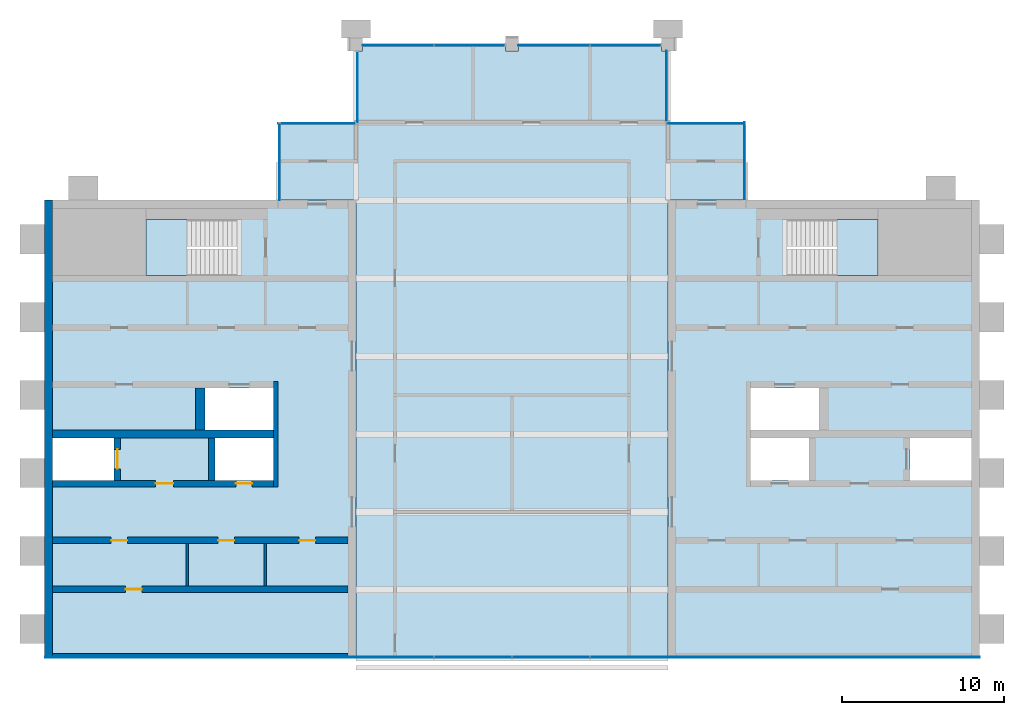
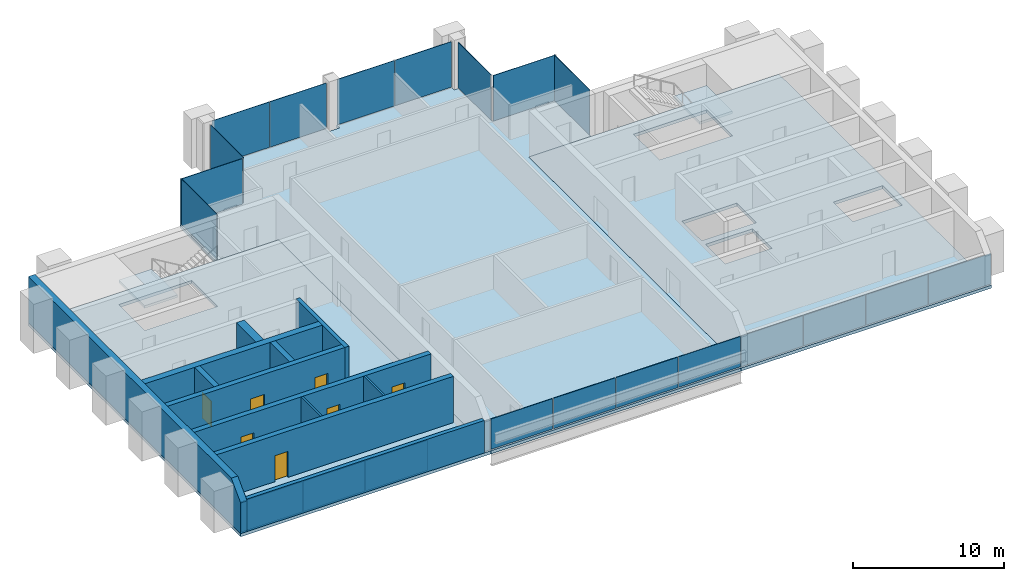
# One storey, part 8 of 12: 22 plates, 12 walls, 7 doors, 5 slabs, 7 openings, 11 elements without a shape of their own.
"""IFC4 building model written with IfcOpenShell, lengths in metres."""

from ifc_helpers import new_model, si_unit, direction, frame, frame_2d, origin, origin_2d, place, context, subcontext, project, spatial, polyline, rectangle, outline, extrude, material, layer, layer_set, type_object, element, fill, aggregate, save


model = new_model("IFC4")

# Units and contexts
model_context = context("Model", 3, precision=1e-05, world=origin(), true_north=direction((0.0, 1.0)))
body_context = subcontext(model_context, "Body", "Model", "MODEL_VIEW")
ifc_project = project(units=[si_unit("LENGTHUNIT", "METRE"), si_unit("AREAUNIT", "SQUARE_METRE"), si_unit("VOLUMEUNIT", "CUBIC_METRE"), si_unit("PLANEANGLEUNIT", "RADIAN"), si_unit("MASSUNIT", "GRAM", prefix="KILO")], contexts=[model_context])

# Site, building, storey
site_placement = place(None, origin())
site = spatial("IfcSite", under=ifc_project, at=site_placement, CompositionType="ELEMENT")
building_placement = place(site_placement, origin())
building = spatial("IfcBuilding", under=site, at=building_placement, Name="Baori Bourse Tower", CompositionType="ELEMENT")
storey_placement = place(building_placement, frame((0.0, 0.0, 370.300048828125)))
storey = spatial("IfcBuildingStorey", under=building, at=storey_placement, Name="L83", CompositionType="ELEMENT", Elevation=370.300048828125)

# Curtain wall, plates
ifc_material_1 = material(Name="Pale anodised aluminium", Category="aluminium")
curtain_wall_type = type_object("IfcCurtainWallType", Name="CW3 Curtain wall", PredefinedType="NOTDEFINED", material=ifc_material_1)
curtain_wall_1_placement = place(storey_placement, origin())
curtain_wall_1 = element("IfcCurtainWall", 1, at=curtain_wall_1_placement, inside=storey, type_object=curtain_wall_type, Name="Curtain wall CW3 L83 1", PredefinedType="NOTDEFINED")
ifc_material_2 = material(Name="Pale anodised aluminium", Category="aluminium")
ifc_layer_1 = layer(ifc_material_2, 0.0400390625)
ifc_layer_set_1 = layer_set([ifc_layer_1], Name="CW3 Curtain wall panel")
plate_type = type_object("IfcPlateType", Name="CW3 Curtain wall panel", PredefinedType="CURTAIN_PANEL", material=ifc_layer_set_1)
plate_1_placement = place(storey_placement, frame((2.41259765625, 10.2529296875, 0.06005859375), z_axis=(0.0, 0.0, 1.0), x_axis=(1.0, 0.0, 0.0)))
plate_1 = element("IfcPlate", 2, at=plate_1_placement, type_object=plate_type, Name="Curtain wall CW3 louvre panel", PredefinedType="CURTAIN_PANEL", context=body_context, shape_type="SweptSolid", body=[
    extrude(rectangle(XDim=4.72509765625, YDim=0.0400390625, at=origin_2d()), origin(), (0.0, 0.0, 1.0), 2.469970703125),
])
plate_2_placement = place(storey_placement, frame((7.199951171875, 10.2529296875, 0.06005859375), z_axis=(0.0, 0.0, 1.0), x_axis=(1.0, 0.0, 0.0)))
plate_2 = element("IfcPlate", 3, at=plate_2_placement, type_object=plate_type, Name="Curtain wall CW3 louvre panel", PredefinedType="CURTAIN_PANEL", context=body_context, shape_type="SweptSolid", body=[
    extrude(rectangle(XDim=4.75, YDim=0.0400390625, at=origin_2d()), origin(), (0.0, 0.0, 1.0), 2.469970703125),
])
plate_3_placement = place(storey_placement, frame((12.0, 10.2529296875, 0.06005859375), z_axis=(0.0, 0.0, 1.0), x_axis=(1.0, 0.0, 0.0)))
plate_3 = element("IfcPlate", 4, at=plate_3_placement, type_object=plate_type, Name="Curtain wall CW3 louvre panel", PredefinedType="CURTAIN_PANEL", context=body_context, shape_type="SweptSolid", body=[
    extrude(rectangle(XDim=4.75, YDim=0.0400390625, at=origin_2d()), origin(), (0.0, 0.0, 1.0), 2.469970703125),
])
plate_4_placement = place(storey_placement, frame((16.800048828125, 10.2529296875, 0.06005859375), z_axis=(0.0, 0.0, 1.0), x_axis=(1.0, 0.0, 0.0)))
plate_4 = element("IfcPlate", 5, at=plate_4_placement, type_object=plate_type, Name="Curtain wall CW3 louvre panel", PredefinedType="CURTAIN_PANEL", context=body_context, shape_type="SweptSolid", body=[
    extrude(rectangle(XDim=4.75, YDim=0.0400390625, at=origin_2d()), origin(), (0.0, 0.0, 1.0), 2.469970703125),
])
plate_5_placement = place(storey_placement, frame((21.60009765625, 10.2529296875, 0.06005859375), z_axis=(0.0, 0.0, 1.0), x_axis=(1.0, 0.0, 0.0)))
plate_5 = element("IfcPlate", 6, at=plate_5_placement, type_object=plate_type, Name="Curtain wall CW3 louvre panel", PredefinedType="CURTAIN_PANEL", context=body_context, shape_type="SweptSolid", body=[
    extrude(rectangle(XDim=4.75, YDim=0.0400390625, at=origin_2d()), origin(), (0.0, 0.0, 1.0), 2.469970703125),
])
plate_6_placement = place(storey_placement, frame((26.39990234375, 10.2529296875, 0.06005859375), z_axis=(0.0, 0.0, 1.0), x_axis=(1.0, 0.0, 0.0)))
plate_6 = element("IfcPlate", 7, at=plate_6_placement, type_object=plate_type, Name="Curtain wall CW3 louvre panel", PredefinedType="CURTAIN_PANEL", context=body_context, shape_type="SweptSolid", body=[
    extrude(rectangle(XDim=4.75, YDim=0.0400390625, at=origin_2d()), origin(), (0.0, 0.0, 1.0), 2.469970703125),
])
plate_7_placement = place(storey_placement, frame((31.199951171875, 10.2529296875, 0.06005859375), z_axis=(0.0, 0.0, 1.0), x_axis=(1.0, 0.0, 0.0)))
plate_7 = element("IfcPlate", 8, at=plate_7_placement, type_object=plate_type, Name="Curtain wall CW3 louvre panel", PredefinedType="CURTAIN_PANEL", context=body_context, shape_type="SweptSolid", body=[
    extrude(rectangle(XDim=4.75, YDim=0.0400390625, at=origin_2d()), origin(), (0.0, 0.0, 1.0), 2.469970703125),
])
plate_8_placement = place(storey_placement, frame((36.0, 10.2529296875, 0.06005859375), z_axis=(0.0, 0.0, 1.0), x_axis=(1.0, 0.0, 0.0)))
plate_8 = element("IfcPlate", 9, at=plate_8_placement, type_object=plate_type, Name="Curtain wall CW3 louvre panel", PredefinedType="CURTAIN_PANEL", context=body_context, shape_type="SweptSolid", body=[
    extrude(rectangle(XDim=4.75, YDim=0.0400390625, at=origin_2d()), origin(), (0.0, 0.0, 1.0), 2.469970703125),
])
plate_9_placement = place(storey_placement, frame((40.800048828125, 10.2529296875, 0.06005859375), z_axis=(0.0, 0.0, 1.0), x_axis=(1.0, 0.0, 0.0)))
plate_9 = element("IfcPlate", 10, at=plate_9_placement, type_object=plate_type, Name="Curtain wall CW3 louvre panel", PredefinedType="CURTAIN_PANEL", context=body_context, shape_type="SweptSolid", body=[
    extrude(rectangle(XDim=4.75, YDim=0.0400390625, at=origin_2d()), origin(), (0.0, 0.0, 1.0), 2.469970703125),
])
plate_10_placement = place(storey_placement, frame((45.60009765625, 10.2529296875, 0.06005859375), z_axis=(0.0, 0.0, 1.0), x_axis=(1.0, 0.0, 0.0)))
plate_10 = element("IfcPlate", 11, at=plate_10_placement, type_object=plate_type, Name="Curtain wall CW3 louvre panel", PredefinedType="CURTAIN_PANEL", context=body_context, shape_type="SweptSolid", body=[
    extrude(rectangle(XDim=4.75, YDim=0.0400390625, at=origin_2d()), origin(), (0.0, 0.0, 1.0), 2.469970703125),
])
plate_11_placement = place(storey_placement, frame((50.39990234375, 10.2529296875, 0.06005859375), z_axis=(0.0, 0.0, 1.0), x_axis=(1.0, 0.0, 0.0)))
plate_11 = element("IfcPlate", 12, at=plate_11_placement, type_object=plate_type, Name="Curtain wall CW3 louvre panel", PredefinedType="CURTAIN_PANEL", context=body_context, shape_type="SweptSolid", body=[
    extrude(rectangle(XDim=4.75, YDim=0.0400390625, at=origin_2d()), origin(), (0.0, 0.0, 1.0), 2.469970703125),
])
plate_12_placement = place(storey_placement, frame((55.21240234375, 10.2529296875, 0.06005859375), z_axis=(0.0, 0.0, 1.0), x_axis=(1.0, 0.0, 0.0)))
plate_12 = element("IfcPlate", 13, at=plate_12_placement, type_object=plate_type, Name="Curtain wall CW3 louvre panel", PredefinedType="CURTAIN_PANEL", context=body_context, shape_type="SweptSolid", body=[
    extrude(rectangle(XDim=4.77490234375, YDim=0.0400390625, at=origin_2d()), origin(), (0.0, 0.0, 1.0), 2.469970703125),
])
aggregate(curtain_wall_1, [plate_1, plate_2, plate_3, plate_4, plate_5, plate_6, plate_7, plate_8, plate_9, plate_10, plate_11, plate_12])

# Curtain wall, plate
curtain_wall_2_placement = place(storey_placement, origin())
curtain_wall_2 = element("IfcCurtainWall", 14, at=curtain_wall_2_placement, inside=storey, type_object=curtain_wall_type, Name="Curtain wall CW3 L83 2", PredefinedType="NOTDEFINED")
plate_13_placement = place(storey_placement, frame((43.1201171875, 40.824951171875, 0.06005859375), z_axis=(0.0, 0.0, 1.0), x_axis=(0.0, 1.0, 0.0)))
plate_13 = element("IfcPlate", 15, at=plate_13_placement, type_object=plate_type, Name="Curtain wall CW3 louvre panel", PredefinedType="CURTAIN_PANEL", context=body_context, shape_type="SweptSolid", body=[
    extrude(rectangle(XDim=4.75, YDim=0.0400390625, at=origin_2d()), origin(), (0.0, 0.0, 1.0), 3.68994140625),
])
aggregate(curtain_wall_2, [plate_13])

curtain_wall_3_placement = place(storey_placement, origin())
curtain_wall_3 = element("IfcCurtainWall", 16, at=curtain_wall_3_placement, inside=storey, type_object=curtain_wall_type, Name="Curtain wall CW3 L83 3", PredefinedType="NOTDEFINED")
plate_14_placement = place(storey_placement, frame((40.77490234375, 43.1201171875, 0.06005859375), z_axis=(0.0, 0.0, 1.0), x_axis=(-1.0, 0.0, 0.0)))
plate_14 = element("IfcPlate", 17, at=plate_14_placement, type_object=plate_type, Name="Curtain wall CW3 louvre panel", PredefinedType="CURTAIN_PANEL", context=body_context, shape_type="SweptSolid", body=[
    extrude(rectangle(XDim=4.75, YDim=0.0400390625, at=origin_2d()), origin(), (0.0, 0.0, 1.0), 3.68994140625),
])
aggregate(curtain_wall_3, [plate_14])

curtain_wall_4_placement = place(storey_placement, origin())
curtain_wall_4 = element("IfcCurtainWall", 18, at=curtain_wall_4_placement, inside=storey, type_object=curtain_wall_type, Name="Curtain wall CW3 L83 4", PredefinedType="NOTDEFINED")
plate_15_placement = place(storey_placement, frame((38.320068359375, 45.425048828125, 0.06005859375), z_axis=(0.0, 0.0, 1.0), x_axis=(0.0, 1.0, 0.0)))
plate_15 = element("IfcPlate", 19, at=plate_15_placement, type_object=plate_type, Name="Curtain wall CW3 louvre panel", PredefinedType="CURTAIN_PANEL", context=body_context, shape_type="SweptSolid", body=[
    extrude(rectangle(XDim=4.35009765625, YDim=0.0400390625, at=origin_2d()), origin(), (0.0, 0.0, 1.0), 3.68994140625),
])
aggregate(curtain_wall_4, [plate_15])

# Curtain wall, plates
curtain_wall_5_placement = place(storey_placement, origin())
curtain_wall_5 = element("IfcCurtainWall", 20, at=curtain_wall_5_placement, inside=storey, type_object=curtain_wall_type, Name="Curtain wall CW3 L83 5", PredefinedType="NOTDEFINED")
plate_16_placement = place(storey_placement, frame((35.78759765625, 47.919921875, 0.06005859375), z_axis=(0.0, 0.0, 1.0), x_axis=(-1.0, 0.0, 0.0)))
plate_16 = element("IfcPlate", 21, at=plate_16_placement, type_object=plate_type, Name="Curtain wall CW3 louvre panel", PredefinedType="CURTAIN_PANEL", context=body_context, shape_type="SweptSolid", body=[
    extrude(rectangle(XDim=4.324951171875, YDim=0.0400390625, at=origin_2d()), origin(), (0.0, 0.0, 1.0), 3.68994140625),
])
plate_17_placement = place(storey_placement, frame((31.387451171875, 47.919921875, 0.06005859375), z_axis=(0.0, 0.0, 1.0), x_axis=(-1.0, 0.0, 0.0)))
plate_17 = element("IfcPlate", 22, at=plate_17_placement, type_object=plate_type, Name="Curtain wall CW3 louvre panel", PredefinedType="CURTAIN_PANEL", context=body_context, shape_type="SweptSolid", body=[
    extrude(rectangle(XDim=4.375, YDim=0.0400390625, at=origin_2d()), origin(), (0.0, 0.0, 1.0), 3.68994140625),
])
aggregate(curtain_wall_5, [plate_16, plate_17])

curtain_wall_6_placement = place(storey_placement, origin())
curtain_wall_6 = element("IfcCurtainWall", 23, at=curtain_wall_6_placement, inside=storey, type_object=curtain_wall_type, Name="Curtain wall CW3 L83 6", PredefinedType="NOTDEFINED")
plate_18_placement = place(storey_placement, frame((26.1875, 47.919921875, 0.06005859375), z_axis=(0.0, 0.0, 1.0), x_axis=(-1.0, 0.0, 0.0)))
plate_18 = element("IfcPlate", 24, at=plate_18_placement, type_object=plate_type, Name="Curtain wall CW3 louvre panel", PredefinedType="CURTAIN_PANEL", context=body_context, shape_type="SweptSolid", body=[
    extrude(rectangle(XDim=4.324951171875, YDim=0.0400390625, at=origin_2d()), origin(), (0.0, 0.0, 1.0), 3.68994140625),
])
plate_19_placement = place(storey_placement, frame((21.78759765625, 47.919921875, 0.06005859375), z_axis=(0.0, 0.0, 1.0), x_axis=(-1.0, 0.0, 0.0)))
plate_19 = element("IfcPlate", 25, at=plate_19_placement, type_object=plate_type, Name="Curtain wall CW3 louvre panel", PredefinedType="CURTAIN_PANEL", context=body_context, shape_type="SweptSolid", body=[
    extrude(rectangle(XDim=4.375, YDim=0.0400390625, at=origin_2d()), origin(), (0.0, 0.0, 1.0), 3.68994140625),
])
aggregate(curtain_wall_6, [plate_18, plate_19])

# Curtain wall, plate
curtain_wall_7_placement = place(storey_placement, origin())
curtain_wall_7 = element("IfcCurtainWall", 26, at=curtain_wall_7_placement, inside=storey, type_object=curtain_wall_type, Name="Curtain wall CW3 L83 7", PredefinedType="NOTDEFINED")
plate_20_placement = place(storey_placement, frame((19.280029296875, 45.375, 0.06005859375), z_axis=(0.0, 0.0, 1.0), x_axis=(0.0, -1.0, 0.0)))
plate_20 = element("IfcPlate", 27, at=plate_20_placement, type_object=plate_type, Name="Curtain wall CW3 louvre panel", PredefinedType="CURTAIN_PANEL", context=body_context, shape_type="SweptSolid", body=[
    extrude(rectangle(XDim=4.35009765625, YDim=0.0400390625, at=origin_2d()), origin(), (0.0, 0.0, 1.0), 3.68994140625),
])
aggregate(curtain_wall_7, [plate_20])

curtain_wall_8_placement = place(storey_placement, origin())
curtain_wall_8 = element("IfcCurtainWall", 28, at=curtain_wall_8_placement, inside=storey, type_object=curtain_wall_type, Name="Curtain wall CW3 L83 8", PredefinedType="NOTDEFINED")
plate_21_placement = place(storey_placement, frame((16.77490234375, 43.1201171875, 0.06005859375), z_axis=(0.0, 0.0, 1.0), x_axis=(-1.0, 0.0, 0.0)))
plate_21 = element("IfcPlate", 29, at=plate_21_placement, type_object=plate_type, Name="Curtain wall CW3 louvre panel", PredefinedType="CURTAIN_PANEL", context=body_context, shape_type="SweptSolid", body=[
    extrude(rectangle(XDim=4.75, YDim=0.0400390625, at=origin_2d()), origin(), (0.0, 0.0, 1.0), 3.68994140625),
])
aggregate(curtain_wall_8, [plate_21])

curtain_wall_9_placement = place(storey_placement, origin())
curtain_wall_9 = element("IfcCurtainWall", 30, at=curtain_wall_9_placement, inside=storey, type_object=curtain_wall_type, Name="Curtain wall CW3 L83 9", PredefinedType="NOTDEFINED")
plate_22_placement = place(storey_placement, frame((14.47998046875, 40.77490234375, 0.06005859375), z_axis=(0.0, 0.0, 1.0), x_axis=(0.0, -1.0, 0.0)))
plate_22 = element("IfcPlate", 31, at=plate_22_placement, type_object=plate_type, Name="Curtain wall CW3 louvre panel", PredefinedType="CURTAIN_PANEL", context=body_context, shape_type="SweptSolid", body=[
    extrude(rectangle(XDim=4.75, YDim=0.0400390625, at=origin_2d()), origin(), (0.0, 0.0, 1.0), 3.68994140625),
])
aggregate(curtain_wall_9, [plate_22])

# Slabs
ifc_material_3 = material(Name="Concrete f'c 50 MPa", Category="concrete")
ifc_layer_2 = layer(ifc_material_3, 0.25)
ifc_layer_set_2 = layer_set([ifc_layer_2], Name="Core slab 250")
slab_type_1 = type_object("IfcSlabType", Name="Core slab 250", PredefinedType="FLOOR", material=ifc_layer_set_2)
slab_1_placement = place(storey_placement, frame((0.0, 0.0, -0.25)))
element("IfcSlab", 32, at=slab_1_placement, inside=storey, type_object=slab_type_1, Name="Core floor slab W01", PredefinedType="FLOOR", context=body_context, shape_type="SweptSolid", body=[
    extrude(outline(polyline([(19.199951171875, 10.1728515625), (19.199951171875, 38.39990234375), (0.0, 38.39990234375), (0.0, 10.1728515625), (19.199951171875, 10.1728515625)]), holes=[polyline([(9.89990234375, 24.25), (9.89990234375, 26.85009765625), (14.10009765625, 26.85009765625), (14.10009765625, 24.25), (9.89990234375, 24.25)]), polyline([(10.5, 23.75), (14.10009765625, 23.75), (14.10009765625, 21.14990234375), (10.5, 21.14990234375), (10.5, 23.75)]), polyline([(11.84912109375, 37.199951171875), (11.84912109375, 33.75), (6.25, 33.75), (6.25, 37.199951171875), (11.84912109375, 37.199951171875)]), polyline([(4.300048828125, 21.14990234375), (0.5, 21.14990234375), (0.5, 23.75), (4.300048828125, 23.75), (4.300048828125, 21.14990234375)])]), origin(), (0.0, 0.0, 1.0), 0.25),
])
slab_2_placement = place(storey_placement, frame((0.0, 0.0, -0.25)))
element("IfcSlab", 33, at=slab_2_placement, inside=storey, type_object=slab_type_1, Name="Core floor slab E01", PredefinedType="FLOOR", context=body_context, shape_type="SweptSolid", body=[
    extrude(outline(polyline([(38.39990234375, 10.1728515625), (57.60009765625, 10.1728515625), (57.60009765625, 38.39990234375), (38.39990234375, 38.39990234375), (38.39990234375, 10.1728515625)]), holes=[polyline([(53.300048828125, 21.14990234375), (53.300048828125, 23.75), (57.10009765625, 23.75), (57.10009765625, 21.14990234375), (53.300048828125, 21.14990234375)]), polyline([(51.35009765625, 37.199951171875), (51.35009765625, 33.75), (45.750732421875, 33.75), (45.750732421875, 37.199951171875), (51.35009765625, 37.199951171875)]), polyline([(43.5, 26.85009765625), (47.699951171875, 26.85009765625), (47.699951171875, 24.25), (43.5, 24.25), (43.5, 26.85009765625)]), polyline([(47.10009765625, 23.75), (47.10009765625, 21.14990234375), (43.5, 21.14990234375), (43.5, 23.75), (47.10009765625, 23.75)])]), origin(), (0.0, 0.0, 1.0), 0.25),
])

# Stair, slab
ifc_material_4 = material(Name="Concrete f'c 50 MPa", Category="concrete")
stair_type = type_object("IfcStairType", Name="Core stair", PredefinedType="HALF_TURN_STAIR", material=ifc_material_4)
stair_1_placement = place(storey_placement, origin())
stair_1 = element("IfcStair", 34, at=stair_1_placement, inside=storey, type_object=stair_type, Name="L83 Stair WB", PredefinedType="HALF_TURN_STAIR")
ifc_material_5 = material(Name="Concrete f'c 50 MPa", Category="concrete")
slab_type_2 = type_object("IfcSlabType", Name="Core stair landing", PredefinedType="LANDING", material=ifc_material_5)
slab_3_placement = place(storey_placement, frame((0.0, 0.0, 1.800048828125)))
slab_3 = element("IfcSlab", 35, at=slab_3_placement, type_object=slab_type_2, Name="ST2 landing 1", PredefinedType="LANDING", context=body_context, shape_type="SweptSolid", body=[
    extrude(outline(polyline([(8.77001953125, 37.199951171875), (6.25, 37.199951171875), (6.25, 33.75), (8.77001953125, 33.75), (8.77001953125, 37.199951171875)])), origin(), (0.0, 0.0, 1.0), 0.199951171875),
])
aggregate(stair_1, [slab_3])

stair_2_placement = place(storey_placement, origin())
stair_2 = element("IfcStair", 36, at=stair_2_placement, inside=storey, type_object=stair_type, Name="L83 Stair EB", PredefinedType="HALF_TURN_STAIR")
slab_4_placement = place(storey_placement, frame((0.0, 0.0, 1.800048828125)))
slab_4 = element("IfcSlab", 37, at=slab_4_placement, type_object=slab_type_2, Name="ST4 landing 1", PredefinedType="LANDING", context=body_context, shape_type="SweptSolid", body=[
    extrude(outline(polyline([(48.830078125, 33.75), (51.35009765625, 33.75), (51.35009765625, 37.199951171875), (48.830078125, 37.199951171875), (48.830078125, 33.75)])), origin(), (0.0, 0.0, 1.0), 0.199951171875),
])
aggregate(stair_2, [slab_4])

# Slab
ifc_material_6 = material(Name="Concrete f'c 40 MPa", Category="concrete")
ifc_layer_3 = layer(ifc_material_6, 0.25)
ifc_layer_set_3 = layer_set([ifc_layer_3], Name="Floor slab 250")
slab_type_3 = type_object("IfcSlabType", Name="Floor slab 250", PredefinedType="FLOOR", material=ifc_layer_set_3)
slab_5_placement = place(storey_placement, frame((0.0, 0.0, -0.25)))
element("IfcSlab", 38, at=slab_5_placement, inside=storey, type_object=slab_type_3, Name="Floor slab L83", PredefinedType="FLOOR", context=body_context, shape_type="SweptSolid", body=[
    extrude(outline(polyline([(38.39990234375, 43.199951171875), (43.199951171875, 43.199951171875), (43.199951171875, 38.39990234375), (38.39990234375, 38.39990234375), (38.39990234375, 10.1728515625), (19.199951171875, 10.1728515625), (19.199951171875, 38.39990234375), (14.39990234375, 38.39990234375), (14.39990234375, 43.199951171875), (19.199951171875, 43.199951171875), (19.199951171875, 47.60009765625), (19.60009765625, 47.60009765625), (19.60009765625, 48.0), (28.39990234375, 48.0), (28.39990234375, 47.60009765625), (29.199951171875, 47.60009765625), (29.199951171875, 48.0), (38.0, 48.0), (38.0, 47.60009765625), (38.39990234375, 47.60009765625), (38.39990234375, 43.199951171875)])), origin(), (0.0, 0.0, 1.0), 0.25),
])

# Walls
ifc_material_7 = material(Name="Blockwork partition", Category="masonry")
ifc_layer_4 = layer(ifc_material_7, 0.14990234375)
ifc_layer_set_4 = layer_set([ifc_layer_4], Name="Core partition 150")
wall_type_1 = type_object("IfcWallType", Name="Core partition 150", PredefinedType="PARTITIONING", material=ifc_layer_set_4)
for number, where, z_axis, x_axis, name in (
    (39, (8.800048828125, 14.64990234375, 0.0), (0.0, 0.0, 1.0), (0.0, 1.0, 0.0), "Partition wall W05"),
    (40, (13.60009765625, 14.64990234375, 0.0), (0.0, 0.0, 1.0), (0.0, 1.0, 0.0), "Partition wall W06"),
):
    element("IfcWall", number, at=place(storey_placement, frame(where, z_axis=z_axis, x_axis=x_axis)), inside=storey, type_object=wall_type_1, Name=name, PredefinedType="PARTITIONING", context=body_context, shape_type="SweptSolid", body=[
        extrude(rectangle(XDim=2.60009765625, YDim=0.14990234375, at=frame_2d((1.300048828125, 0.0))), origin(), (0.0, 0.0, 1.0), 3.75),
    ])
ifc_material_8 = material(Name="Concrete f'c 40 MPa", Category="concrete")
ifc_layer_5 = layer(ifc_material_8, 0.300048828125)
ifc_layer_set_5 = layer_set([ifc_layer_5], Name="Core wall 300 f'c 40")
wall_type_2 = type_object("IfcWallType", Name="Core wall 300 f'c 40", PredefinedType="SHEAR", material=ifc_layer_set_5)
wall_1_placement = place(storey_placement, frame((18.699951171875, 10.32275390625, 0.0), z_axis=(0.0, 0.0, 1.0), x_axis=(-1.0, 0.0, 0.0)))
element("IfcWall", 41, at=wall_1_placement, inside=storey, type_object=wall_type_2, Name="Core wall W02", PredefinedType="SHEAR", context=body_context, shape_type="SweptSolid", body=[
    extrude(outline(polyline([(0.0, 0.0), (18.199951171875, 0.0), (18.199951171875, 2.639404296875), (0.0, 2.639404296875), (0.0, 0.0)])), frame((0.0, 0.14990234375, 0.0), z_axis=(0.0, -1.0, 0.0), x_axis=(1.0, 0.0, 0.0)), (0.0, 0.0, 1.0), 0.300048828125),
])
ifc_material_9 = material(Name="Concrete f'c 40 MPa", Category="concrete")
ifc_layer_6 = layer(ifc_material_9, 0.5)
ifc_layer_set_6 = layer_set([ifc_layer_6], Name="Core wall 500 f'c 40")
wall_type_3 = type_object("IfcWallType", Name="Core wall 500 f'c 40", PredefinedType="SHEAR", material=ifc_layer_set_6)
wall_2_placement = place(storey_placement, frame((0.25, 10.1728515625, 0.0), z_axis=(0.0, 0.0, 1.0), x_axis=(0.0, 1.0, 0.0)))
element("IfcWall", 42, at=wall_2_placement, inside=storey, type_object=wall_type_3, Name="Core wall W01", PredefinedType="SHEAR", context=body_context, shape_type="SweptSolid", body=[
    extrude(outline(polyline([(0.0, 0.0), (28.22705078125, 0.0), (28.22705078125, 3.75), (1.246826171875, 3.75), (0.0, 2.487548828125), (0.0, 0.0)])), frame((0.0, 0.25, 0.0), z_axis=(0.0, -1.0, 0.0), x_axis=(1.0, 0.0, 0.0)), (0.0, 0.0, 1.0), 0.5),
])
ifc_material_10 = material(Name="Concrete f'c 40 MPa", Category="concrete")
ifc_layer_7 = layer(ifc_material_10, 0.300048828125)
ifc_layer_set_7 = layer_set([ifc_layer_7], Name="Shaft wall 300 f'c 40")
wall_type_4 = type_object("IfcWallType", Name="Shaft wall 300 f'c 40", PredefinedType="SHEAR", material=ifc_layer_set_7)
wall_3_placement = place(storey_placement, frame((14.25, 20.75, 0.0), z_axis=(0.0, 0.0, 1.0), x_axis=(0.0, 1.0, 0.0)))
element("IfcWall", 43, at=wall_3_placement, inside=storey, type_object=wall_type_4, Name="Core wall W09", PredefinedType="SHEAR", context=body_context, shape_type="SweptSolid", body=[
    extrude(rectangle(XDim=6.5, YDim=0.300048828125, at=frame_2d((3.25, 0.0))), origin(), (0.0, 0.0, 1.0), 3.75),
])

# Wall, opening, door
ifc_material_11 = material(Name="Concrete f'c 40 MPa", Category="concrete")
ifc_layer_8 = layer(ifc_material_11, 0.39990234375)
ifc_layer_set_8 = layer_set([ifc_layer_8], Name="Shaft wall 400 f'c 40")
wall_type_5 = type_object("IfcWallType", Name="Shaft wall 400 f'c 40", PredefinedType="SHEAR", material=ifc_layer_set_8)
wall_4_placement = place(storey_placement, frame((0.5, 14.449951171875, 0.0), z_axis=(0.0, 0.0, 1.0), x_axis=(1.0, 0.0, 0.0)))
wall_4 = element("IfcWall", 44, at=wall_4_placement, inside=storey, type_object=wall_type_5, Name="Core wall W04", PredefinedType="SHEAR", context=body_context, shape_type="SweptSolid", body=[
    extrude(rectangle(XDim=18.199951171875, YDim=0.39990234375, at=frame_2d((9.10009765625, 0.0))), origin(), (0.0, 0.0, 1.0), 3.75),
])
opening_1_placement = place(wall_4_placement, frame((4.5, 0.0, 0.0)))
opening_1 = element("IfcOpeningElement", 45, at=opening_1_placement, cuts=wall_4, Name="Opening L83-D103", PredefinedType="OPENING", context=body_context, shape_type="SweptSolid", body=[
    extrude(rectangle(XDim=1.0, YDim=2.10009765625, at=frame_2d((0.5, 1.050048828125))), frame((0.0, 0.2099609375, 0.0), z_axis=(0.0, -1.0, 0.0), x_axis=(1.0, 0.0, 0.0)), (0.0, 0.0, 1.0), 0.419921875),
])
ifc_material_12 = material(Name="Painted steel door", Category="steel")
door_type_1 = type_object("IfcDoorType", Name="Plant room door 1000", OperationType="SINGLE_SWING_LEFT", PredefinedType="DOOR", material=ifc_material_12)
door_1_placement = place(opening_1_placement, origin())
door_1 = element("IfcDoor", 46, at=door_1_placement, inside=storey, type_object=door_type_1, Name="Plant room door W L83", OperationType="SINGLE_SWING_LEFT", OverallHeight=2.10009765625, OverallWidth=1.0, PredefinedType="DOOR", context=body_context, shape_type="SweptSolid", body=[
    extrude(rectangle(XDim=1.0, YDim=2.10009765625, at=frame_2d((0.5, 1.050048828125))), frame((0.0, 0.02490234375, 0.0), z_axis=(0.0, -1.0, 0.0), x_axis=(1.0, 0.0, 0.0)), (0.0, 0.0, 1.0), 0.050048828125),
])
fill(opening_1, door_1)

# Wall, openings, doors
wall_5_placement = place(storey_placement, frame((0.5, 17.449951171875, 0.0), z_axis=(0.0, 0.0, 1.0), x_axis=(1.0, 0.0, 0.0)))
wall_5 = element("IfcWall", 47, at=wall_5_placement, inside=storey, type_object=wall_type_5, Name="Core wall W07", PredefinedType="SHEAR", context=body_context, shape_type="SweptSolid", body=[
    extrude(rectangle(XDim=18.199951171875, YDim=0.39990234375, at=frame_2d((9.10009765625, 0.0))), origin(), (0.0, 0.0, 1.0), 3.75),
])
opening_2_placement = place(wall_5_placement, frame((3.612548828125, 0.0, 0.0)))
opening_2 = element("IfcOpeningElement", 48, at=opening_2_placement, cuts=wall_5, Name="Opening L83-D111", PredefinedType="OPENING", context=body_context, shape_type="SweptSolid", body=[
    extrude(rectangle(XDim=1.0, YDim=2.10009765625, at=frame_2d((0.5, 1.050048828125))), frame((0.0, 0.2099609375, 0.0), z_axis=(0.0, -1.0, 0.0), x_axis=(1.0, 0.0, 0.0)), (0.0, 0.0, 1.0), 0.419921875),
])
opening_3_placement = place(wall_5_placement, frame((10.199951171875, 0.0, 0.0)))
opening_3 = element("IfcOpeningElement", 49, at=opening_3_placement, cuts=wall_5, Name="Opening L83-D112", PredefinedType="OPENING", context=body_context, shape_type="SweptSolid", body=[
    extrude(rectangle(XDim=1.0, YDim=2.10009765625, at=frame_2d((0.5, 1.050048828125))), frame((0.0, 0.2099609375, 0.0), z_axis=(0.0, -1.0, 0.0), x_axis=(1.0, 0.0, 0.0)), (0.0, 0.0, 1.0), 0.419921875),
])
opening_4_placement = place(wall_5_placement, frame((15.1875, 0.0, 0.0)))
opening_4 = element("IfcOpeningElement", 50, at=opening_4_placement, cuts=wall_5, Name="Opening L83-D113", PredefinedType="OPENING", context=body_context, shape_type="SweptSolid", body=[
    extrude(rectangle(XDim=1.0, YDim=2.10009765625, at=frame_2d((0.5, 1.050048828125))), frame((0.0, 0.2099609375, 0.0), z_axis=(0.0, -1.0, 0.0), x_axis=(1.0, 0.0, 0.0)), (0.0, 0.0, 1.0), 0.419921875),
])
door_2_placement = place(opening_2_placement, origin())
door_2 = element("IfcDoor", 51, at=door_2_placement, inside=storey, type_object=door_type_1, Name="Air Handling Fan Room door W L83", OperationType="SINGLE_SWING_LEFT", OverallHeight=2.10009765625, OverallWidth=1.0, PredefinedType="DOOR", context=body_context, shape_type="SweptSolid", body=[
    extrude(rectangle(XDim=1.0, YDim=2.10009765625, at=frame_2d((0.5, 1.050048828125))), frame((0.0, 0.02490234375, 0.0), z_axis=(0.0, -1.0, 0.0), x_axis=(1.0, 0.0, 0.0)), (0.0, 0.0, 1.0), 0.050048828125),
])
fill(opening_2, door_2)
door_3_placement = place(opening_3_placement, origin())
door_3 = element("IfcDoor", 52, at=door_3_placement, inside=storey, type_object=door_type_1, Name="Electrical Room door W L83", OperationType="SINGLE_SWING_LEFT", OverallHeight=2.10009765625, OverallWidth=1.0, PredefinedType="DOOR", context=body_context, shape_type="SweptSolid", body=[
    extrude(rectangle(XDim=1.0, YDim=2.10009765625, at=frame_2d((0.5, 1.050048828125))), frame((0.0, 0.02490234375, 0.0), z_axis=(0.0, -1.0, 0.0), x_axis=(1.0, 0.0, 0.0)), (0.0, 0.0, 1.0), 0.050048828125),
])
fill(opening_3, door_3)
door_4_placement = place(opening_4_placement, origin())
door_4 = element("IfcDoor", 53, at=door_4_placement, inside=storey, type_object=door_type_1, Name="Mechanical Room door W L83", OperationType="SINGLE_SWING_LEFT", OverallHeight=2.10009765625, OverallWidth=1.0, PredefinedType="DOOR", context=body_context, shape_type="SweptSolid", body=[
    extrude(rectangle(XDim=1.0, YDim=2.10009765625, at=frame_2d((0.5, 1.050048828125))), frame((0.0, 0.02490234375, 0.0), z_axis=(0.0, -1.0, 0.0), x_axis=(1.0, 0.0, 0.0)), (0.0, 0.0, 1.0), 0.050048828125),
])
fill(opening_4, door_4)

wall_6_placement = place(storey_placement, frame((0.5, 20.949951171875, 0.0), z_axis=(0.0, 0.0, 1.0), x_axis=(1.0, 0.0, 0.0)))
wall_6 = element("IfcWall", 54, at=wall_6_placement, inside=storey, type_object=wall_type_5, Name="Core wall W08", PredefinedType="SHEAR", context=body_context, shape_type="SweptSolid", body=[
    extrude(rectangle(XDim=13.60009765625, YDim=0.39990234375, at=frame_2d((6.800048828125, 0.0))), origin(), (0.0, 0.0, 1.0), 3.75),
])
opening_5_placement = place(wall_6_placement, frame((6.35009765625, 0.0, 0.0)))
opening_5 = element("IfcOpeningElement", 55, at=opening_5_placement, cuts=wall_6, Name="Opening L83-D104", PredefinedType="OPENING", context=body_context, shape_type="SweptSolid", body=[
    extrude(rectangle(XDim=1.10009765625, YDim=2.10009765625, at=frame_2d((0.550048828125, 1.050048828125))), frame((0.0, 0.2099609375, 0.0), z_axis=(0.0, -1.0, 0.0), x_axis=(1.0, 0.0, 0.0)), (0.0, 0.0, 1.0), 0.419921875),
])
opening_6_placement = place(wall_6_placement, frame((11.300048828125, 0.0, 0.0)))
opening_6 = element("IfcOpeningElement", 56, at=opening_6_placement, cuts=wall_6, Name="Opening L83-D105", PredefinedType="OPENING", context=body_context, shape_type="SweptSolid", body=[
    extrude(rectangle(XDim=1.0, YDim=2.10009765625, at=frame_2d((0.5, 1.050048828125))), frame((0.0, 0.2099609375, 0.0), z_axis=(0.0, -1.0, 0.0), x_axis=(1.0, 0.0, 0.0)), (0.0, 0.0, 1.0), 0.419921875),
])
ifc_material_13 = material(Name="Painted steel door", Category="steel")
door_type_2 = type_object("IfcDoorType", Name="Lobby door 1100", OperationType="SINGLE_SWING_LEFT", PredefinedType="DOOR", material=ifc_material_13)
door_5_placement = place(opening_5_placement, origin())
door_5 = element("IfcDoor", 57, at=door_5_placement, inside=storey, type_object=door_type_2, Name="Firefighting lobby door W L83", OperationType="SINGLE_SWING_LEFT", OverallHeight=2.10009765625, OverallWidth=1.10009765625, PredefinedType="DOOR", context=body_context, shape_type="SweptSolid", body=[
    extrude(rectangle(XDim=1.10009765625, YDim=2.10009765625, at=frame_2d((0.550048828125, 1.050048828125))), frame((0.0, 0.02490234375, 0.0), z_axis=(0.0, -1.0, 0.0), x_axis=(1.0, 0.0, 0.0)), (0.0, 0.0, 1.0), 0.050048828125),
])
fill(opening_5, door_5)
ifc_material_14 = material(Name="Painted steel door", Category="steel")
door_type_3 = type_object("IfcDoorType", Name="Shaft door 1000", OperationType="SINGLE_SWING_LEFT", PredefinedType="DOOR", material=ifc_material_14)
door_6_placement = place(opening_6_placement, origin())
door_6 = element("IfcDoor", 58, at=door_6_placement, inside=storey, type_object=door_type_3, Name="Riser room door W L83", OperationType="SINGLE_SWING_LEFT", OverallHeight=2.10009765625, OverallWidth=1.0, PredefinedType="DOOR", context=body_context, shape_type="SweptSolid", body=[
    extrude(rectangle(XDim=1.0, YDim=2.10009765625, at=frame_2d((0.5, 1.050048828125))), frame((0.0, 0.02490234375, 0.0), z_axis=(0.0, -1.0, 0.0), x_axis=(1.0, 0.0, 0.0)), (0.0, 0.0, 1.0), 0.050048828125),
])
fill(opening_6, door_6)

# Wall, opening, door
wall_7_placement = place(storey_placement, frame((4.5, 21.14990234375, 0.0), z_axis=(0.0, 0.0, 1.0), x_axis=(0.0, 1.0, 0.0)))
wall_7 = element("IfcWall", 59, at=wall_7_placement, inside=storey, type_object=wall_type_5, Name="Core wall W10", PredefinedType="SHEAR", context=body_context, shape_type="SweptSolid", body=[
    extrude(rectangle(XDim=2.60009765625, YDim=0.39990234375, at=frame_2d((1.300048828125, 0.0))), origin(), (0.0, 0.0, 1.0), 3.75),
])
opening_7_placement = place(wall_7_placement, frame((0.699951171875, 0.0, 0.0)))
opening_7 = element("IfcOpeningElement", 60, at=opening_7_placement, cuts=wall_7, Name="Opening L83-D116", PredefinedType="OPENING", context=body_context, shape_type="SweptSolid", body=[
    extrude(rectangle(XDim=1.199951171875, YDim=2.10009765625, at=frame_2d((0.60009765625, 1.050048828125))), frame((0.0, 0.2099609375, 0.0), z_axis=(0.0, -1.0, 0.0), x_axis=(1.0, 0.0, 0.0)), (0.0, 0.0, 1.0), 0.419921875),
])
ifc_material_15 = material(Name="Stainless steel door", Category="steel")
door_type_4 = type_object("IfcDoorType", Name="Lift landing door", OperationType="DOUBLE_DOOR_SLIDING", PredefinedType="DOOR", material=ifc_material_15)
door_7_placement = place(opening_7_placement, origin())
door_7 = element("IfcDoor", 61, at=door_7_placement, inside=storey, type_object=door_type_4, Name="Lift landing door FF1 W L83", OperationType="DOUBLE_DOOR_SLIDING", OverallHeight=2.10009765625, OverallWidth=1.199951171875, PredefinedType="DOOR", context=body_context, shape_type="SweptSolid", body=[
    extrude(rectangle(XDim=1.199951171875, YDim=2.10009765625, at=frame_2d((0.60009765625, 1.050048828125))), frame((0.0, 0.02490234375, 0.0), z_axis=(0.0, -1.0, 0.0), x_axis=(1.0, 0.0, 0.0)), (0.0, 0.0, 1.0), 0.050048828125),
])
fill(opening_7, door_7)

# Walls
wall_8_placement = place(storey_placement, frame((10.300048828125, 21.14990234375, 0.0), z_axis=(0.0, 0.0, 1.0), x_axis=(0.0, 1.0, 0.0)))
element("IfcWall", 62, at=wall_8_placement, inside=storey, type_object=wall_type_5, Name="Core wall W11", PredefinedType="SHEAR", context=body_context, shape_type="SweptSolid", body=[
    extrude(rectangle(XDim=2.60009765625, YDim=0.39990234375, at=frame_2d((1.300048828125, 0.0))), origin(), (0.0, 0.0, 1.0), 3.75),
])
ifc_material_16 = material(Name="Concrete f'c 40 MPa", Category="concrete")
ifc_layer_9 = layer(ifc_material_16, 0.5)
ifc_layer_set_9 = layer_set([ifc_layer_9], Name="Shaft wall 500 f'c 40")
wall_type_6 = type_object("IfcWallType", Name="Shaft wall 500 f'c 40", PredefinedType="SHEAR", material=ifc_layer_set_9)
wall_9_placement = place(storey_placement, frame((0.5, 24.0, 0.0), z_axis=(0.0, 0.0, 1.0), x_axis=(1.0, 0.0, 0.0)))
element("IfcWall", 63, at=wall_9_placement, inside=storey, type_object=wall_type_6, Name="Core wall W12", PredefinedType="SHEAR", context=body_context, shape_type="SweptSolid", body=[
    extrude(rectangle(XDim=13.60009765625, YDim=0.5, at=frame_2d((6.800048828125, 0.0))), origin(), (0.0, 0.0, 1.0), 3.75),
])
ifc_material_17 = material(Name="Concrete f'c 40 MPa", Category="concrete")
ifc_layer_10 = layer(ifc_material_17, 0.60009765625)
ifc_layer_set_10 = layer_set([ifc_layer_10], Name="Shaft wall 600 f'c 40")
wall_type_7 = type_object("IfcWallType", Name="Shaft wall 600 f'c 40", PredefinedType="SHEAR", material=ifc_layer_set_10)
wall_10_placement = place(storey_placement, frame((9.60009765625, 24.25, 0.0), z_axis=(0.0, 0.0, 1.0), x_axis=(0.0, 1.0, 0.0)))
element("IfcWall", 64, at=wall_10_placement, inside=storey, type_object=wall_type_7, Name="Core wall W13", PredefinedType="SHEAR", context=body_context, shape_type="SweptSolid", body=[
    extrude(rectangle(XDim=2.60009765625, YDim=0.60009765625, at=frame_2d((1.300048828125, 0.0))), origin(), (0.0, 0.0, 1.0), 3.75),
])

save(model, "model.ifc")
